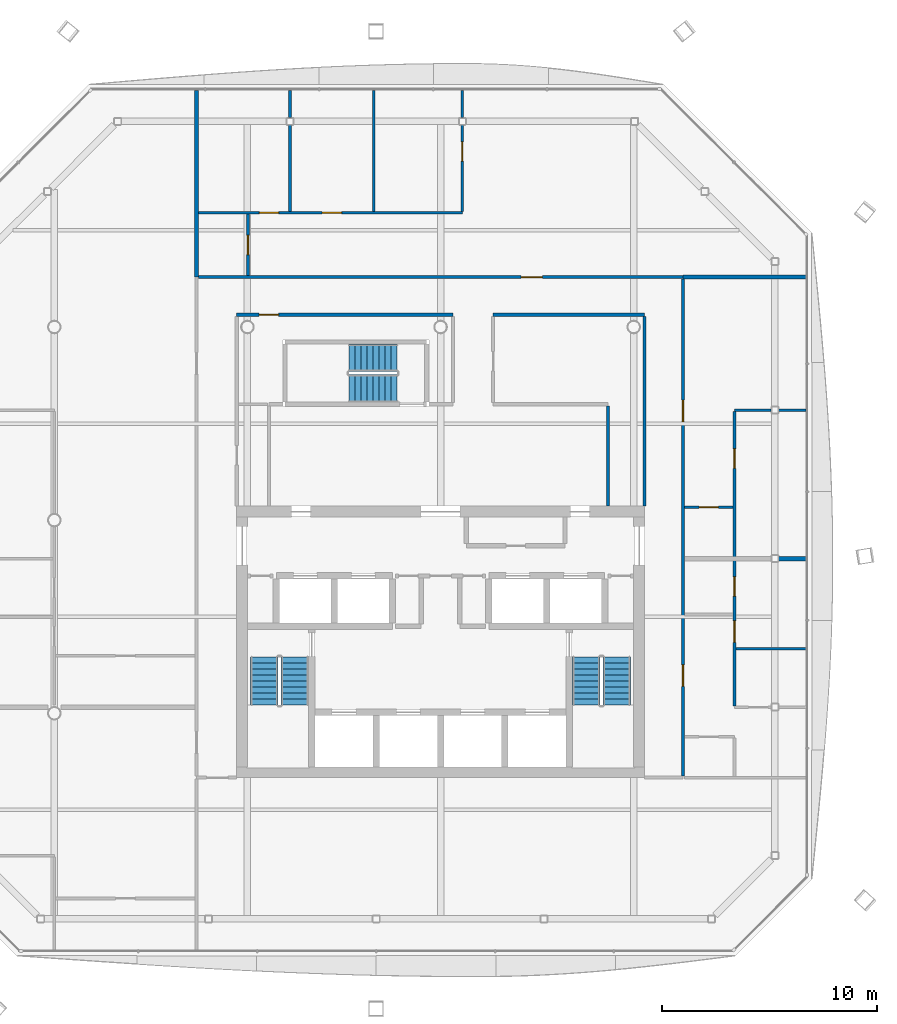
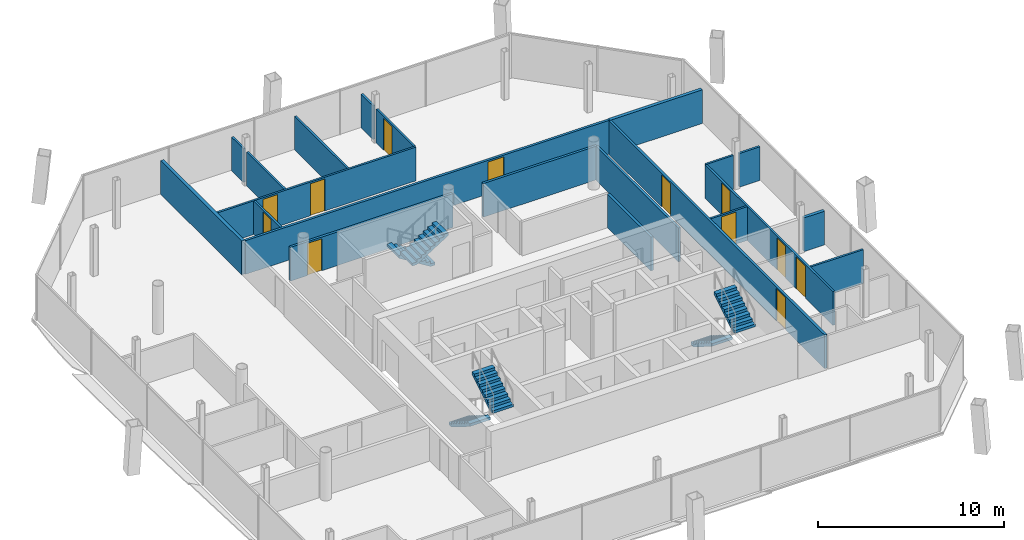
# One storey, part 16 of 20: 21 walls, 12 doors, 6 stair flights, 12 openings, 3 elements without a shape of their own.
"""IFC4 building model written with IfcOpenShell, lengths in metres."""

from ifc_helpers import new_model, si_unit, direction, frame, frame_2d, origin, place, context, subcontext, project, spatial, polyline, rectangle, outline, extrude, material, layer, layer_set, type_object, element, fill, aggregate, save


model = new_model("IFC4")

# Units and contexts
model_context = context("Model", 3, precision=1e-05, world=origin(), true_north=direction((0.0, 1.0)))
body_context = subcontext(model_context, "Body", "Model", "MODEL_VIEW")
ifc_project = project(units=[si_unit("LENGTHUNIT", "METRE"), si_unit("AREAUNIT", "SQUARE_METRE"), si_unit("VOLUMEUNIT", "CUBIC_METRE"), si_unit("PLANEANGLEUNIT", "RADIAN"), si_unit("MASSUNIT", "GRAM", prefix="KILO")], contexts=[model_context])

# Site, building, storey
site_placement = place(None, origin())
site = spatial("IfcSite", under=ifc_project, at=site_placement, CompositionType="ELEMENT")
building_placement = place(site_placement, origin())
building = spatial("IfcBuilding", under=site, at=building_placement, Name="Tskaro Facet Tower", CompositionType="ELEMENT")
storey_placement = place(building_placement, frame((0.0, 0.0, 197.39990234375)))
storey = spatial("IfcBuildingStorey", under=building, at=storey_placement, Name="L50", CompositionType="ELEMENT", Elevation=197.39990234375)

# Wall
ifc_material_1 = material(Name="Gypsum board on steel studs", Category="steel")
ifc_layer_1 = layer(ifc_material_1, 0.125, Name="Gypsum board on steel studs")
ifc_layer_set_1 = layer_set([ifc_layer_1], Name="Gypsum board on steel studs")
wall_type_1 = type_object("IfcWallType", Name="PART", PredefinedType="PARTITIONING", material=ifc_layer_set_1)
wall_1_placement = place(storey_placement, frame((13.762451171875, -5.989990234375, 0.0), z_axis=(0.0, 0.0, 1.0), x_axis=(1.0, 0.0, 0.0)))
element("IfcWall", 1, at=wall_1_placement, inside=storey, type_object=wall_type_1, Name="Partition W015", PredefinedType="PARTITIONING", context=body_context, shape_type="SweptSolid", body=[
    extrude(rectangle(XDim=3.267578125, YDim=0.125, at=frame_2d((1.6337890625, 0.0))), origin(), (0.0, 0.0, 1.0), 2.210205078125),
])

# Wall, opening, door
wall_2_placement = place(storey_placement, frame((13.637451171875, 0.60498046875, 0.0), z_axis=(0.0, 0.0, 1.0), x_axis=(-1.0, 0.0, 0.0)))
wall_2 = element("IfcWall", 2, at=wall_2_placement, inside=storey, type_object=wall_type_1, Name="Partition W032", PredefinedType="PARTITIONING", context=body_context, shape_type="SweptSolid", body=[
    extrude(rectangle(XDim=2.262451171875, YDim=0.125, at=frame_2d((1.13134765625, 0.0))), origin(), (0.0, 0.0, 1.0), 2.210205078125),
])
opening_1_placement = place(wall_2_placement, frame((0.6875, 0.0, 0.0)))
opening_1 = element("IfcOpeningElement", 3, at=opening_1_placement, cuts=wall_2, Name="Opening T14-D23", PredefinedType="OPENING", context=body_context, shape_type="SweptSolid", body=[
    extrude(rectangle(XDim=0.89990234375, YDim=2.10009765625, at=frame_2d((0.449951171875, 1.050048828125))), frame((0.0, 0.072509765625, 0.0), z_axis=(0.0, -1.0, 0.0), x_axis=(1.0, 0.0, 0.0)), (0.0, 0.0, 1.0), 0.14501953125),
])
ifc_material_2 = material(Name="Timber", Category="wood")
door_type_1 = type_object("IfcDoorType", Name="D-ROOM", OperationType="NOTDEFINED", PredefinedType="DOOR", material=ifc_material_2)
door_1_placement = place(opening_1_placement, origin())
door_1 = element("IfcDoor", 4, at=door_1_placement, inside=storey, type_object=door_type_1, Name="Door T14-D23", OperationType="SINGLE_SWING_RIGHT", OverallHeight=2.10009765625, OverallWidth=0.89990234375, PredefinedType="DOOR", context=body_context, shape_type="SweptSolid", body=[
    extrude(rectangle(XDim=0.89990234375, YDim=2.10009765625, at=frame_2d((0.449951171875, 1.050048828125))), frame((0.0, 0.02490234375, 0.0), z_axis=(0.0, -1.0, 0.0), x_axis=(1.0, 0.0, 0.0)), (0.0, 0.0, 1.0), 0.050048828125),
])
fill(opening_1, door_1)

# Walls
wall_3_placement = place(storey_placement, frame((13.699951171875, 5.125, 0.0), z_axis=(0.0, 0.0, 1.0), x_axis=(1.0, 0.0, 0.0)))
element("IfcWall", 5, at=wall_3_placement, inside=storey, type_object=wall_type_1, Name="Partition W035", PredefinedType="PARTITIONING", context=body_context, shape_type="SweptSolid", body=[
    extrude(rectangle(XDim=1.7080078125, YDim=0.125, at=frame_2d((0.85400390625, 0.0))), origin(), (0.0, 0.0, 1.0), 2.210205078125),
])
wall_4_placement = place(storey_placement, frame((15.758056640625, 5.125, 0.0), z_axis=(0.0, 0.0, 1.0), x_axis=(1.0, 0.0, 0.0)))
element("IfcWall", 6, at=wall_4_placement, inside=storey, type_object=wall_type_1, Name="Partition W036", PredefinedType="PARTITIONING", context=body_context, shape_type="SweptSolid", body=[
    extrude(rectangle(XDim=1.27197265625, YDim=0.125, at=frame_2d((0.635986328125, 0.0))), origin(), (0.0, 0.0, 1.0), 2.210205078125),
])

# Wall, openings, doors
wall_5_placement = place(storey_placement, frame((-11.27490234375, 14.324951171875, 0.0), z_axis=(0.0, 0.0, 1.0), x_axis=(1.0, 0.0, 0.0)))
wall_5 = element("IfcWall", 7, at=wall_5_placement, inside=storey, type_object=wall_type_1, Name="Partition W047", PredefinedType="PARTITIONING", context=body_context, shape_type="SweptSolid", body=[
    extrude(rectangle(XDim=12.289794921875, YDim=0.125, at=frame_2d((6.14501953125, 0.0))), origin(), (0.0, 0.0, 1.0), 2.210205078125),
])
opening_2_placement = place(wall_5_placement, frame((2.830078125, 0.0, 0.0)))
opening_2 = element("IfcOpeningElement", 8, at=opening_2_placement, cuts=wall_5, Name="Opening T14-D33", PredefinedType="OPENING", context=body_context, shape_type="SweptSolid", body=[
    extrude(rectangle(XDim=0.89990234375, YDim=2.10009765625, at=frame_2d((0.449951171875, 1.050048828125))), frame((0.0, 0.072509765625, 0.0), z_axis=(0.0, -1.0, 0.0), x_axis=(1.0, 0.0, 0.0)), (0.0, 0.0, 1.0), 0.14501953125),
])
opening_3_placement = place(wall_5_placement, frame((5.760009765625, 0.0, 0.0)))
opening_3 = element("IfcOpeningElement", 9, at=opening_3_placement, cuts=wall_5, Name="Opening T14-D34", PredefinedType="OPENING", context=body_context, shape_type="SweptSolid", body=[
    extrude(rectangle(XDim=0.89990234375, YDim=2.10009765625, at=frame_2d((0.449951171875, 1.050048828125))), frame((0.0, 0.072509765625, 0.0), z_axis=(0.0, -1.0, 0.0), x_axis=(1.0, 0.0, 0.0)), (0.0, 0.0, 1.0), 0.14501953125),
])
door_2_placement = place(opening_2_placement, origin())
door_2 = element("IfcDoor", 10, at=door_2_placement, inside=storey, type_object=door_type_1, Name="Door T14-D33", OperationType="SINGLE_SWING_RIGHT", OverallHeight=2.10009765625, OverallWidth=0.89990234375, PredefinedType="DOOR", context=body_context, shape_type="SweptSolid", body=[
    extrude(rectangle(XDim=0.89990234375, YDim=2.10009765625, at=frame_2d((0.449951171875, 1.050048828125))), frame((0.0, 0.02490234375, 0.0), z_axis=(0.0, -1.0, 0.0), x_axis=(1.0, 0.0, 0.0)), (0.0, 0.0, 1.0), 0.050048828125),
])
fill(opening_2, door_2)
door_3_placement = place(opening_3_placement, origin())
door_3 = element("IfcDoor", 11, at=door_3_placement, inside=storey, type_object=door_type_1, Name="Door T14-D34", OperationType="SINGLE_SWING_RIGHT", OverallHeight=2.10009765625, OverallWidth=0.89990234375, PredefinedType="DOOR", context=body_context, shape_type="SweptSolid", body=[
    extrude(rectangle(XDim=0.89990234375, YDim=2.10009765625, at=frame_2d((0.449951171875, 1.050048828125))), frame((0.0, 0.02490234375, 0.0), z_axis=(0.0, -1.0, 0.0), x_axis=(1.0, 0.0, 0.0)), (0.0, 0.0, 1.0), 0.050048828125),
])
fill(opening_3, door_3)

# Wall, opening, door
wall_6_placement = place(storey_placement, frame((-8.97509765625, 11.39990234375, 0.0), z_axis=(0.0, 0.0, 1.0), x_axis=(0.0, 1.0, 0.0)))
wall_6 = element("IfcWall", 12, at=wall_6_placement, inside=storey, type_object=wall_type_1, Name="Partition W055", PredefinedType="PARTITIONING", context=body_context, shape_type="SweptSolid", body=[
    extrude(rectangle(XDim=2.862548828125, YDim=0.125, at=frame_2d((1.43115234375, 0.0))), origin(), (0.0, 0.0, 1.0), 2.210205078125),
])
opening_4_placement = place(wall_6_placement, frame((0.97509765625, 0.0, 0.0)))
opening_4 = element("IfcOpeningElement", 13, at=opening_4_placement, cuts=wall_6, Name="Opening T14-D32", PredefinedType="OPENING", context=body_context, shape_type="SweptSolid", body=[
    extrude(rectangle(XDim=0.89990234375, YDim=2.10009765625, at=frame_2d((0.449951171875, 1.050048828125))), frame((0.0, 0.072509765625, 0.0), z_axis=(0.0, -1.0, 0.0), x_axis=(1.0, 0.0, 0.0)), (0.0, 0.0, 1.0), 0.14501953125),
])
door_4_placement = place(opening_4_placement, origin())
door_4 = element("IfcDoor", 14, at=door_4_placement, inside=storey, type_object=door_type_1, Name="Door T14-D32", OperationType="SINGLE_SWING_LEFT", OverallHeight=2.10009765625, OverallWidth=0.89990234375, PredefinedType="DOOR", context=body_context, shape_type="SweptSolid", body=[
    extrude(rectangle(XDim=0.89990234375, YDim=2.10009765625, at=frame_2d((0.449951171875, 1.050048828125))), frame((0.0, 0.02490234375, 0.0), z_axis=(0.0, -1.0, 0.0), x_axis=(1.0, 0.0, 0.0)), (0.0, 0.0, 1.0), 0.050048828125),
])
fill(opening_4, door_4)

# Walls
wall_7_placement = place(storey_placement, frame((-7.014892578125, 14.387451171875, 0.0), z_axis=(0.0, 0.0, 1.0), x_axis=(0.0, 1.0, 0.0)))
element("IfcWall", 15, at=wall_7_placement, inside=storey, type_object=wall_type_1, Name="Partition W059", PredefinedType="PARTITIONING", context=body_context, shape_type="SweptSolid", body=[
    extrude(rectangle(XDim=4.0205078125, YDim=0.125, at=frame_2d((2.01025390625, 0.0))), origin(), (0.0, 0.0, 1.0), 2.210205078125),
])
wall_8_placement = place(storey_placement, frame((-7.014892578125, 18.758056640625, 0.0), z_axis=(0.0, 0.0, 1.0), x_axis=(0.0, 1.0, 0.0)))
element("IfcWall", 16, at=wall_8_placement, inside=storey, type_object=wall_type_1, Name="Partition W060", PredefinedType="PARTITIONING", context=body_context, shape_type="SweptSolid", body=[
    extrude(rectangle(XDim=1.27197265625, YDim=0.125, at=frame_2d((0.635986328125, 0.0))), origin(), (0.0, 0.0, 1.0), 2.210205078125),
])
wall_9_placement = place(storey_placement, frame((-3.114990234375, 14.387451171875, 0.0), z_axis=(0.0, 0.0, 1.0), x_axis=(0.0, 1.0, 0.0)))
element("IfcWall", 17, at=wall_9_placement, inside=storey, type_object=wall_type_1, Name="Partition W063", PredefinedType="PARTITIONING", context=body_context, shape_type="SweptSolid", body=[
    extrude(rectangle(XDim=5.642578125, YDim=0.125, at=frame_2d((2.8212890625, 0.0))), origin(), (0.0, 0.0, 1.0), 2.210205078125),
])

# Wall, opening, door
wall_10_placement = place(storey_placement, frame((1.014892578125, 14.387451171875, 0.0), z_axis=(0.0, 0.0, 1.0), x_axis=(0.0, 1.0, 0.0)))
wall_10 = element("IfcWall", 18, at=wall_10_placement, inside=storey, type_object=wall_type_1, Name="Partition W071", PredefinedType="PARTITIONING", context=body_context, shape_type="SweptSolid", body=[
    extrude(rectangle(XDim=4.0205078125, YDim=0.125, at=frame_2d((2.01025390625, 0.0))), origin(), (0.0, 0.0, 1.0), 2.210205078125),
])
opening_5_placement = place(wall_10_placement, frame((2.340087890625, 0.0, 0.0)))
opening_5 = element("IfcOpeningElement", 19, at=opening_5_placement, cuts=wall_10, Name="Opening T14-D35", PredefinedType="OPENING", context=body_context, shape_type="SweptSolid", body=[
    extrude(rectangle(XDim=0.89990234375, YDim=2.10009765625, at=frame_2d((0.449951171875, 1.050048828125))), frame((0.0, 0.072509765625, 0.0), z_axis=(0.0, -1.0, 0.0), x_axis=(1.0, 0.0, 0.0)), (0.0, 0.0, 1.0), 0.14501953125),
])
door_5_placement = place(opening_5_placement, origin())
door_5 = element("IfcDoor", 20, at=door_5_placement, inside=storey, type_object=door_type_1, Name="Door T14-D35", OperationType="SINGLE_SWING_RIGHT", OverallHeight=2.10009765625, OverallWidth=0.89990234375, PredefinedType="DOOR", context=body_context, shape_type="SweptSolid", body=[
    extrude(rectangle(XDim=0.89990234375, YDim=2.10009765625, at=frame_2d((0.449951171875, 1.050048828125))), frame((0.0, 0.02490234375, 0.0), z_axis=(0.0, -1.0, 0.0), x_axis=(1.0, 0.0, 0.0)), (0.0, 0.0, 1.0), 0.050048828125),
])
fill(opening_5, door_5)

# Wall
wall_11_placement = place(storey_placement, frame((1.014892578125, 18.758056640625, 0.0), z_axis=(0.0, 0.0, 1.0), x_axis=(0.0, 1.0, 0.0)))
element("IfcWall", 21, at=wall_11_placement, inside=storey, type_object=wall_type_1, Name="Partition W072", PredefinedType="PARTITIONING", context=body_context, shape_type="SweptSolid", body=[
    extrude(rectangle(XDim=1.27197265625, YDim=0.125, at=frame_2d((0.635986328125, 0.0))), origin(), (0.0, 0.0, 1.0), 2.210205078125),
])

# Wall, openings, doors
wall_12_placement = place(storey_placement, frame((13.699951171875, 5.0625, 0.0), z_axis=(0.0, 0.0, 1.0), x_axis=(0.0, -1.0, 0.0)))
wall_12 = element("IfcWall", 22, at=wall_12_placement, inside=storey, type_object=wall_type_1, Name="Partition W085", PredefinedType="PARTITIONING", context=body_context, shape_type="SweptSolid", body=[
    extrude(rectangle(XDim=13.715087890625, YDim=0.125, at=frame_2d((6.857421875, 0.0))), origin(), (0.0, 0.0, 1.0), 2.210205078125),
])
opening_6_placement = place(wall_12_placement, frame((9.7548828125, 0.0, 0.0)))
opening_6 = element("IfcOpeningElement", 23, at=opening_6_placement, cuts=wall_12, Name="Opening T14-D10", PredefinedType="OPENING", context=body_context, shape_type="SweptSolid", body=[
    extrude(rectangle(XDim=1.0, YDim=2.10009765625, at=frame_2d((0.5, 1.050048828125))), frame((0.0, 0.072509765625, 0.0), z_axis=(0.0, -1.0, 0.0), x_axis=(1.0, 0.0, 0.0)), (0.0, 0.0, 1.0), 0.14501953125),
])
opening_7_placement = place(wall_12_placement, frame((7.70751953125, 0.0, 0.0)))
opening_7 = element("IfcOpeningElement", 24, at=opening_7_placement, cuts=wall_12, Name="Opening T14-D12", PredefinedType="OPENING", context=body_context, shape_type="SweptSolid", body=[
    extrude(rectangle(XDim=0.89990234375, YDim=2.10009765625, at=frame_2d((0.449951171875, 1.050048828125))), frame((0.0, 0.072509765625, 0.0), z_axis=(0.0, -1.0, 0.0), x_axis=(1.0, 0.0, 0.0)), (0.0, 0.0, 1.0), 0.14501953125),
])
opening_8_placement = place(wall_12_placement, frame((1.74755859375, 0.0, 0.0)))
opening_8 = element("IfcOpeningElement", 25, at=opening_8_placement, cuts=wall_12, Name="Opening T14-D24", PredefinedType="OPENING", context=body_context, shape_type="SweptSolid", body=[
    extrude(rectangle(XDim=0.89990234375, YDim=2.10009765625, at=frame_2d((0.449951171875, 1.050048828125))), frame((0.0, 0.072509765625, 0.0), z_axis=(0.0, -1.0, 0.0), x_axis=(1.0, 0.0, 0.0)), (0.0, 0.0, 1.0), 0.14501953125),
])
door_6_placement = place(opening_7_placement, origin())
door_6 = element("IfcDoor", 26, at=door_6_placement, inside=storey, type_object=door_type_1, Name="Door T14-D12", OperationType="SINGLE_SWING_RIGHT", OverallHeight=2.10009765625, OverallWidth=0.89990234375, PredefinedType="DOOR", context=body_context, shape_type="SweptSolid", body=[
    extrude(rectangle(XDim=0.89990234375, YDim=2.10009765625, at=frame_2d((0.449951171875, 1.050048828125))), frame((0.0, 0.02490234375, 0.0), z_axis=(0.0, -1.0, 0.0), x_axis=(1.0, 0.0, 0.0)), (0.0, 0.0, 1.0), 0.050048828125),
])
fill(opening_7, door_6)
door_7_placement = place(opening_8_placement, origin())
door_7 = element("IfcDoor", 27, at=door_7_placement, inside=storey, type_object=door_type_1, Name="Door T14-D24", OperationType="SINGLE_SWING_LEFT", OverallHeight=2.10009765625, OverallWidth=0.89990234375, PredefinedType="DOOR", context=body_context, shape_type="SweptSolid", body=[
    extrude(rectangle(XDim=0.89990234375, YDim=2.10009765625, at=frame_2d((0.449951171875, 1.050048828125))), frame((0.0, 0.02490234375, 0.0), z_axis=(0.0, -1.0, 0.0), x_axis=(1.0, 0.0, 0.0)), (0.0, 0.0, 1.0), 0.050048828125),
])
fill(opening_8, door_7)
door_type_2 = type_object("IfcDoorType", Name="D-ROOM-WIDE", OperationType="NOTDEFINED", PredefinedType="DOOR", material=ifc_material_2)
door_8_placement = place(opening_6_placement, origin())
door_8 = element("IfcDoor", 28, at=door_8_placement, inside=storey, type_object=door_type_2, Name="Door T14-D10", OperationType="SINGLE_SWING_RIGHT", OverallHeight=2.10009765625, OverallWidth=1.0, PredefinedType="DOOR", context=body_context, shape_type="SweptSolid", body=[
    extrude(rectangle(XDim=1.0, YDim=2.10009765625, at=frame_2d((0.5, 1.050048828125))), frame((0.0, 0.02490234375, 0.0), z_axis=(0.0, -1.0, 0.0), x_axis=(1.0, 0.0, 0.0)), (0.0, 0.0, 1.0), 0.050048828125),
])
fill(opening_6, door_8)

# Wall, opening, door
ifc_layer_2 = layer(ifc_material_1, 0.14990234375, Name="Gypsum board on steel studs")
ifc_layer_set_2 = layer_set([ifc_layer_2], Name="Gypsum board on steel studs")
wall_type_2 = type_object("IfcWallType", Name="PART-CORR", PredefinedType="PARTITIONING", material=ifc_layer_set_2)
wall_13_placement = place(storey_placement, frame((0.574951171875, 9.574951171875, 0.0), z_axis=(0.0, 0.0, 1.0), x_axis=(-1.0, 0.0, 0.0)))
wall_13 = element("IfcWall", 29, at=wall_13_placement, inside=storey, type_object=wall_type_2, Name="Corridor wall W043", PredefinedType="PARTITIONING", context=body_context, shape_type="SweptSolid", body=[
    extrude(rectangle(XDim=10.074951171875, YDim=0.14990234375, at=frame_2d((5.03759765625, 0.0))), origin(), (0.0, 0.0, 1.0), 2.210205078125),
])
opening_9_placement = place(wall_13_placement, frame((8.125, 0.0, 0.0)))
opening_9 = element("IfcOpeningElement", 30, at=opening_9_placement, cuts=wall_13, Name="Opening T14-D30", PredefinedType="OPENING", context=body_context, shape_type="SweptSolid", body=[
    extrude(rectangle(XDim=0.89990234375, YDim=2.10009765625, at=frame_2d((0.449951171875, 1.050048828125))), frame((0.0, 0.0849609375, 0.0), z_axis=(0.0, -1.0, 0.0), x_axis=(1.0, 0.0, 0.0)), (0.0, 0.0, 1.0), 0.169921875),
])
door_9_placement = place(opening_9_placement, origin())
door_9 = element("IfcDoor", 31, at=door_9_placement, inside=storey, type_object=door_type_1, Name="Door T14-D30", OperationType="SINGLE_SWING_RIGHT", OverallHeight=2.10009765625, OverallWidth=0.89990234375, PredefinedType="DOOR", context=body_context, shape_type="SweptSolid", body=[
    extrude(rectangle(XDim=0.89990234375, YDim=2.10009765625, at=frame_2d((0.449951171875, 1.050048828125))), frame((0.0, 0.02490234375, 0.0), z_axis=(0.0, -1.0, 0.0), x_axis=(1.0, 0.0, 0.0)), (0.0, 0.0, 1.0), 0.050048828125),
])
fill(opening_9, door_9)

# Wall
wall_14_placement = place(storey_placement, frame((2.449951171875, 9.574951171875, 0.0), z_axis=(0.0, 0.0, 1.0), x_axis=(1.0, 0.0, 0.0)))
element("IfcWall", 32, at=wall_14_placement, inside=storey, type_object=wall_type_2, Name="Corridor wall W044", PredefinedType="PARTITIONING", context=body_context, shape_type="SweptSolid", body=[
    extrude(rectangle(XDim=7.050048828125, YDim=0.14990234375, at=frame_2d((3.52490234375, 0.0))), origin(), (0.0, 0.0, 1.0), 2.210205078125),
])

# Wall, opening, door
wall_15_placement = place(storey_placement, frame((-11.27490234375, 11.324951171875, 0.0), z_axis=(0.0, 0.0, 1.0), x_axis=(1.0, 0.0, 0.0)))
wall_15 = element("IfcWall", 33, at=wall_15_placement, inside=storey, type_object=wall_type_2, Name="Corridor wall W045", PredefinedType="PARTITIONING", context=body_context, shape_type="SweptSolid", body=[
    extrude(rectangle(XDim=22.574951171875, YDim=0.14990234375, at=frame_2d((11.28759765625, 0.0))), origin(), (0.0, 0.0, 1.0), 2.210205078125),
])
opening_10_placement = place(wall_15_placement, frame((15.02490234375, 0.0, 0.0)))
opening_10 = element("IfcOpeningElement", 34, at=opening_10_placement, cuts=wall_15, Name="Opening T14-D31", PredefinedType="OPENING", context=body_context, shape_type="SweptSolid", body=[
    extrude(rectangle(XDim=1.0, YDim=2.10009765625, at=frame_2d((0.5, 1.050048828125))), frame((0.0, 0.0849609375, 0.0), z_axis=(0.0, -1.0, 0.0), x_axis=(1.0, 0.0, 0.0)), (0.0, 0.0, 1.0), 0.169921875),
])
door_type_3 = type_object("IfcDoorType", Name="D-FLAT-ENTRY", OperationType="NOTDEFINED", PredefinedType="DOOR", material=ifc_material_2)
door_10_placement = place(opening_10_placement, origin())
door_10 = element("IfcDoor", 35, at=door_10_placement, inside=storey, type_object=door_type_3, Name="Door T14-D31", OperationType="SINGLE_SWING_LEFT", OverallHeight=2.10009765625, OverallWidth=1.0, PredefinedType="DOOR", context=body_context, shape_type="SweptSolid", body=[
    extrude(rectangle(XDim=1.0, YDim=2.10009765625, at=frame_2d((0.5, 1.050048828125))), frame((0.0, 0.02490234375, 0.0), z_axis=(0.0, -1.0, 0.0), x_axis=(1.0, 0.0, 0.0)), (0.0, 0.0, 1.0), 0.050048828125),
])
fill(opening_10, door_10)

# Walls
wall_16_placement = place(storey_placement, frame((7.800048828125, 0.64990234375, 0.0), z_axis=(0.0, 0.0, 1.0), x_axis=(0.0, 1.0, 0.0)))
element("IfcWall", 36, at=wall_16_placement, inside=storey, type_object=wall_type_2, Name="Corridor wall W081", PredefinedType="PARTITIONING", context=body_context, shape_type="SweptSolid", body=[
    extrude(rectangle(XDim=4.675048828125, YDim=0.14990234375, at=frame_2d((2.33740234375, 0.0))), origin(), (0.0, 0.0, 1.0), 2.210205078125),
])
wall_17_placement = place(storey_placement, frame((9.5, 0.64990234375, 0.0), z_axis=(0.0, 0.0, 1.0), x_axis=(0.0, 1.0, 0.0)))
element("IfcWall", 37, at=wall_17_placement, inside=storey, type_object=wall_type_2, Name="Corridor wall W082", PredefinedType="PARTITIONING", context=body_context, shape_type="SweptSolid", body=[
    extrude(rectangle(XDim=8.85009765625, YDim=0.14990234375, at=frame_2d((4.425048828125, 0.0))), origin(), (0.0, 0.0, 1.0), 2.210205078125),
])

# Wall, openings, doors
wall_18_placement = place(storey_placement, frame((11.300048828125, 11.22509765625, 0.0), z_axis=(0.0, 0.0, 1.0), x_axis=(0.0, -1.0, 0.0)))
wall_18 = element("IfcWall", 38, at=wall_18_placement, inside=storey, type_object=wall_type_2, Name="Corridor wall W083", PredefinedType="PARTITIONING", context=body_context, shape_type="SweptSolid", body=[
    extrude(rectangle(XDim=23.150146484375, YDim=0.14990234375, at=frame_2d((11.5751953125, 0.0))), origin(), (0.0, 0.0, 1.0), 2.210205078125),
])
opening_11_placement = place(wall_18_placement, frame((17.972412109375, 0.0, 0.0)))
opening_11 = element("IfcOpeningElement", 39, at=opening_11_placement, cuts=wall_18, Name="Opening T14-D07", PredefinedType="OPENING", context=body_context, shape_type="SweptSolid", body=[
    extrude(rectangle(XDim=1.0, YDim=2.10009765625, at=frame_2d((0.5, 1.050048828125))), frame((0.0, 0.0849609375, 0.0), z_axis=(0.0, -1.0, 0.0), x_axis=(1.0, 0.0, 0.0)), (0.0, 0.0, 1.0), 0.169921875),
])
opening_12_placement = place(wall_18_placement, frame((5.635009765625, 0.0, 0.0)))
opening_12 = element("IfcOpeningElement", 40, at=opening_12_placement, cuts=wall_18, Name="Opening T14-D26", PredefinedType="OPENING", context=body_context, shape_type="SweptSolid", body=[
    extrude(rectangle(XDim=1.0, YDim=2.10009765625, at=frame_2d((0.5, 1.050048828125))), frame((0.0, 0.0849609375, 0.0), z_axis=(0.0, -1.0, 0.0), x_axis=(1.0, 0.0, 0.0)), (0.0, 0.0, 1.0), 0.169921875),
])
door_11_placement = place(opening_11_placement, origin())
door_11 = element("IfcDoor", 41, at=door_11_placement, inside=storey, type_object=door_type_3, Name="Door T14-D07", OperationType="SINGLE_SWING_RIGHT", OverallHeight=2.10009765625, OverallWidth=1.0, PredefinedType="DOOR", context=body_context, shape_type="SweptSolid", body=[
    extrude(rectangle(XDim=1.0, YDim=2.10009765625, at=frame_2d((0.5, 1.050048828125))), frame((0.0, 0.02490234375, 0.0), z_axis=(0.0, -1.0, 0.0), x_axis=(1.0, 0.0, 0.0)), (0.0, 0.0, 1.0), 0.050048828125),
])
fill(opening_11, door_11)
door_12_placement = place(opening_12_placement, origin())
door_12 = element("IfcDoor", 42, at=door_12_placement, inside=storey, type_object=door_type_3, Name="Door T14-D26", OperationType="SINGLE_SWING_RIGHT", OverallHeight=2.10009765625, OverallWidth=1.0, PredefinedType="DOOR", context=body_context, shape_type="SweptSolid", body=[
    extrude(rectangle(XDim=1.0, YDim=2.10009765625, at=frame_2d((0.5, 1.050048828125))), frame((0.0, 0.02490234375, 0.0), z_axis=(0.0, -1.0, 0.0), x_axis=(1.0, 0.0, 0.0)), (0.0, 0.0, 1.0), 0.050048828125),
])
fill(opening_12, door_12)

# Walls
ifc_layer_3 = layer(ifc_material_1, 0.199951171875, Name="Gypsum board on steel studs")
ifc_layer_set_3 = layer_set([ifc_layer_3], Name="Gypsum board on steel studs")
wall_type_3 = type_object("IfcWallType", Name="PART-DEMISING", PredefinedType="PARTITIONING", material=ifc_layer_set_3)
wall_19_placement = place(storey_placement, frame((15.758056640625, -1.794921875, 0.0), z_axis=(0.0, 0.0, 1.0), x_axis=(1.0, 0.0, 0.0)))
element("IfcWall", 43, at=wall_19_placement, inside=storey, type_object=wall_type_3, Name="Guest room wall W030", PredefinedType="PARTITIONING", context=body_context, shape_type="SweptSolid", body=[
    extrude(rectangle(XDim=1.27197265625, YDim=0.199951171875, at=frame_2d((0.635986328125, 0.0))), origin(), (0.0, 0.0, 1.0), 2.210205078125),
])
wall_20_placement = place(storey_placement, frame((11.300048828125, 11.324951171875, 0.0), z_axis=(0.0, 0.0, 1.0), x_axis=(1.0, 0.0, 0.0)))
element("IfcWall", 44, at=wall_20_placement, inside=storey, type_object=wall_type_3, Name="Guest room wall W046", PredefinedType="PARTITIONING", context=body_context, shape_type="SweptSolid", body=[
    extrude(rectangle(XDim=5.72998046875, YDim=0.199951171875, at=frame_2d((2.864990234375, 0.0))), origin(), (0.0, 0.0, 1.0), 2.210205078125),
])
wall_21_placement = place(storey_placement, frame((-11.375, 11.324951171875, 0.0), z_axis=(0.0, 0.0, 1.0), x_axis=(0.0, 1.0, 0.0)))
element("IfcWall", 45, at=wall_21_placement, inside=storey, type_object=wall_type_3, Name="Guest room wall W053", PredefinedType="PARTITIONING", context=body_context, shape_type="SweptSolid", body=[
    extrude(rectangle(XDim=8.705078125, YDim=0.199951171875, at=frame_2d((4.3525390625, 0.0))), origin(), (0.0, 0.0, 1.0), 2.210205078125),
])

# Stair, stair flights
ifc_material_3 = material(Name="Concrete C40/50", Category="concrete")
stair_type = type_object("IfcStairType", Name="ST-TWR", PredefinedType="HALF_TURN_STAIR", material=ifc_material_3)
stair_1_placement = place(storey_placement, origin())
stair_1 = element("IfcStair", 46, at=stair_1_placement, inside=storey, type_object=stair_type, Name="L50 Exit stair 1", PredefinedType="HALF_TURN_STAIR")
stair_flight_type = type_object("IfcStairFlightType", Name="SFL-RC", PredefinedType="STRAIGHT", material=ifc_material_3)
stair_flight_1_placement = place(storey_placement, frame((-8.21240234375, -6.375, 0.0), z_axis=(0.0, 0.0, 1.0), x_axis=(0.0, -1.0, 0.0)))
stair_flight_1 = element("IfcStairFlight", 47, at=stair_flight_1_placement, type_object=stair_flight_type, Name="ST-1 flight 1", NumberOfRisers=9, NumberOfTreads=8, PredefinedType="STRAIGHT", RiserHeight=0.175, TreadLength=0.28, context=body_context, shape_type="SweptSolid", body=[
    extrude(outline(polyline([(0.0, 0.0), (0.0, 0.175048828125), (0.280029296875, 0.175048828125), (0.280029296875, 0.35009765625), (0.56005859375, 0.35009765625), (0.56005859375, 0.52490234375), (0.840087890625, 0.52490234375), (0.840087890625, 0.699951171875), (1.1201171875, 0.699951171875), (1.1201171875, 0.875), (1.39990234375, 0.875), (1.39990234375, 1.050048828125), (1.679931640625, 1.050048828125), (1.679931640625, 1.22509765625), (1.9599609375, 1.22509765625), (1.9599609375, 1.39990234375), (2.239990234375, 1.39990234375), (2.239990234375, 1.574951171875), (2.239990234375, 1.22314453125), (0.28271484375, 0.0), (0.0, 0.0)])), frame((0.0, 0.637451171875, 0.0), z_axis=(0.0, -1.0, 0.0), x_axis=(1.0, 0.0, 0.0)), (0.0, 0.0, 1.0), 1.27490234375),
])
stair_flight_2_placement = place(storey_placement, frame((-6.78759765625, -8.614990234375, 1.5751953125), z_axis=(0.0, 0.0, 1.0), x_axis=(0.0, 1.0, 0.0)))
stair_flight_2 = element("IfcStairFlight", 48, at=stair_flight_2_placement, type_object=stair_flight_type, Name="ST-1 flight 2", NumberOfRisers=9, NumberOfTreads=8, PredefinedType="STRAIGHT", RiserHeight=0.175, TreadLength=0.28, context=body_context, shape_type="SweptSolid", body=[
    extrude(outline(polyline([(0.0, 0.0), (0.0, 0.175048828125), (0.280029296875, 0.175048828125), (0.280029296875, 0.35009765625), (0.56005859375, 0.35009765625), (0.56005859375, 0.52490234375), (0.840087890625, 0.52490234375), (0.840087890625, 0.699951171875), (1.1201171875, 0.699951171875), (1.1201171875, 0.875), (1.39990234375, 0.875), (1.39990234375, 1.050048828125), (1.679931640625, 1.050048828125), (1.679931640625, 1.22509765625), (1.9599609375, 1.22509765625), (1.9599609375, 1.39990234375), (2.239990234375, 1.39990234375), (2.239990234375, 1.574951171875), (2.239990234375, 1.22314453125), (0.28271484375, 0.0), (0.0, 0.0)])), frame((0.0, 0.637451171875, 0.0), z_axis=(0.0, -1.0, 0.0), x_axis=(1.0, 0.0, 0.0)), (0.0, 0.0, 1.0), 1.27490234375),
])
aggregate(stair_1, [stair_flight_1, stair_flight_2])

stair_2_placement = place(storey_placement, origin())
stair_2 = element("IfcStair", 49, at=stair_2_placement, inside=storey, type_object=stair_type, Name="L50 Exit stair 2", PredefinedType="HALF_TURN_STAIR")
stair_flight_3_placement = place(storey_placement, frame((6.78759765625, -6.375, 0.0), z_axis=(0.0, 0.0, 1.0), x_axis=(0.0, -1.0, 0.0)))
stair_flight_3 = element("IfcStairFlight", 50, at=stair_flight_3_placement, type_object=stair_flight_type, Name="ST-2 flight 1", NumberOfRisers=9, NumberOfTreads=8, PredefinedType="STRAIGHT", RiserHeight=0.175, TreadLength=0.28, context=body_context, shape_type="SweptSolid", body=[
    extrude(outline(polyline([(0.0, 0.0), (0.0, 0.175048828125), (0.280029296875, 0.175048828125), (0.280029296875, 0.35009765625), (0.56005859375, 0.35009765625), (0.56005859375, 0.52490234375), (0.840087890625, 0.52490234375), (0.840087890625, 0.699951171875), (1.1201171875, 0.699951171875), (1.1201171875, 0.875), (1.39990234375, 0.875), (1.39990234375, 1.050048828125), (1.679931640625, 1.050048828125), (1.679931640625, 1.22509765625), (1.9599609375, 1.22509765625), (1.9599609375, 1.39990234375), (2.239990234375, 1.39990234375), (2.239990234375, 1.574951171875), (2.239990234375, 1.22314453125), (0.28271484375, 0.0), (0.0, 0.0)])), frame((0.0, 0.637451171875, 0.0), z_axis=(0.0, -1.0, 0.0), x_axis=(1.0, 0.0, 0.0)), (0.0, 0.0, 1.0), 1.27490234375),
])
stair_flight_4_placement = place(storey_placement, frame((8.21240234375, -8.614990234375, 1.5751953125), z_axis=(0.0, 0.0, 1.0), x_axis=(0.0, 1.0, 0.0)))
stair_flight_4 = element("IfcStairFlight", 51, at=stair_flight_4_placement, type_object=stair_flight_type, Name="ST-2 flight 2", NumberOfRisers=9, NumberOfTreads=8, PredefinedType="STRAIGHT", RiserHeight=0.175, TreadLength=0.28, context=body_context, shape_type="SweptSolid", body=[
    extrude(outline(polyline([(0.0, 0.0), (0.0, 0.175048828125), (0.280029296875, 0.175048828125), (0.280029296875, 0.35009765625), (0.56005859375, 0.35009765625), (0.56005859375, 0.52490234375), (0.840087890625, 0.52490234375), (0.840087890625, 0.699951171875), (1.1201171875, 0.699951171875), (1.1201171875, 0.875), (1.39990234375, 0.875), (1.39990234375, 1.050048828125), (1.679931640625, 1.050048828125), (1.679931640625, 1.22509765625), (1.9599609375, 1.22509765625), (1.9599609375, 1.39990234375), (2.239990234375, 1.39990234375), (2.239990234375, 1.574951171875), (2.239990234375, 1.22314453125), (0.28271484375, 0.0), (0.0, 0.0)])), frame((0.0, 0.637451171875, 0.0), z_axis=(0.0, -1.0, 0.0), x_axis=(1.0, 0.0, 0.0)), (0.0, 0.0, 1.0), 1.27490234375),
])
aggregate(stair_2, [stair_flight_3, stair_flight_4])

stair_3_placement = place(storey_placement, origin())
stair_3 = element("IfcStair", 52, at=stair_3_placement, inside=storey, type_object=stair_type, Name="L50 Exit stair 3", PredefinedType="HALF_TURN_STAIR")
stair_flight_5_placement = place(storey_placement, frame((-2.02490234375, 7.5625, 0.0), z_axis=(0.0, 0.0, 1.0), x_axis=(-1.0, 0.0, 0.0)))
stair_flight_5 = element("IfcStairFlight", 53, at=stair_flight_5_placement, type_object=stair_flight_type, Name="ST-3 flight 1", NumberOfRisers=9, NumberOfTreads=8, PredefinedType="STRAIGHT", RiserHeight=0.175, TreadLength=0.28, context=body_context, shape_type="SweptSolid", body=[
    extrude(outline(polyline([(0.0, 0.0), (0.0, 0.175048828125), (0.280029296875, 0.175048828125), (0.280029296875, 0.35009765625), (0.56005859375, 0.35009765625), (0.56005859375, 0.52490234375), (0.840087890625, 0.52490234375), (0.840087890625, 0.699951171875), (1.1201171875, 0.699951171875), (1.1201171875, 0.875), (1.39990234375, 0.875), (1.39990234375, 1.050048828125), (1.679931640625, 1.050048828125), (1.679931640625, 1.22509765625), (1.9599609375, 1.22509765625), (1.9599609375, 1.39990234375), (2.239990234375, 1.39990234375), (2.239990234375, 1.574951171875), (2.239990234375, 1.22314453125), (0.28271484375, 0.0), (0.0, 0.0)])), frame((0.0, 0.637451171875, 0.0), z_axis=(0.0, -1.0, 0.0), x_axis=(1.0, 0.0, 0.0)), (0.0, 0.0, 1.0), 1.27490234375),
])
stair_flight_6_placement = place(storey_placement, frame((-4.264892578125, 6.137451171875, 1.5751953125), z_axis=(0.0, 0.0, 1.0), x_axis=(1.0, 0.0, 0.0)))
stair_flight_6 = element("IfcStairFlight", 54, at=stair_flight_6_placement, type_object=stair_flight_type, Name="ST-3 flight 2", NumberOfRisers=9, NumberOfTreads=8, PredefinedType="STRAIGHT", RiserHeight=0.175, TreadLength=0.28, context=body_context, shape_type="SweptSolid", body=[
    extrude(outline(polyline([(0.0, 0.0), (0.0, 0.175048828125), (0.280029296875, 0.175048828125), (0.280029296875, 0.35009765625), (0.56005859375, 0.35009765625), (0.56005859375, 0.52490234375), (0.840087890625, 0.52490234375), (0.840087890625, 0.699951171875), (1.1201171875, 0.699951171875), (1.1201171875, 0.875), (1.39990234375, 0.875), (1.39990234375, 1.050048828125), (1.679931640625, 1.050048828125), (1.679931640625, 1.22509765625), (1.9599609375, 1.22509765625), (1.9599609375, 1.39990234375), (2.239990234375, 1.39990234375), (2.239990234375, 1.574951171875), (2.239990234375, 1.22314453125), (0.28271484375, 0.0), (0.0, 0.0)])), frame((0.0, 0.637451171875, 0.0), z_axis=(0.0, -1.0, 0.0), x_axis=(1.0, 0.0, 0.0)), (0.0, 0.0, 1.0), 1.27490234375),
])
aggregate(stair_3, [stair_flight_5, stair_flight_6])

save(model, "model.ifc")
